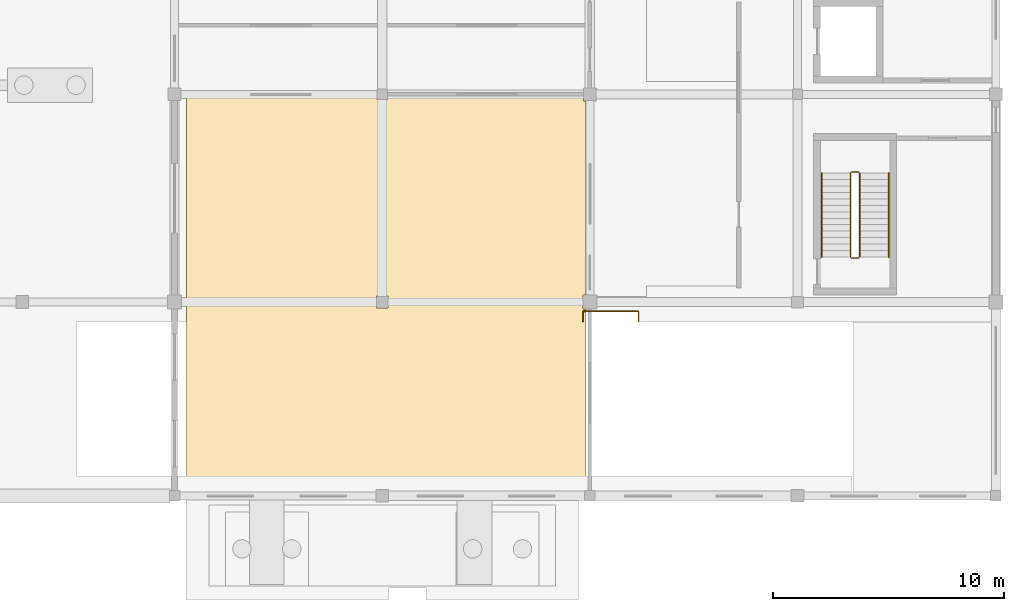
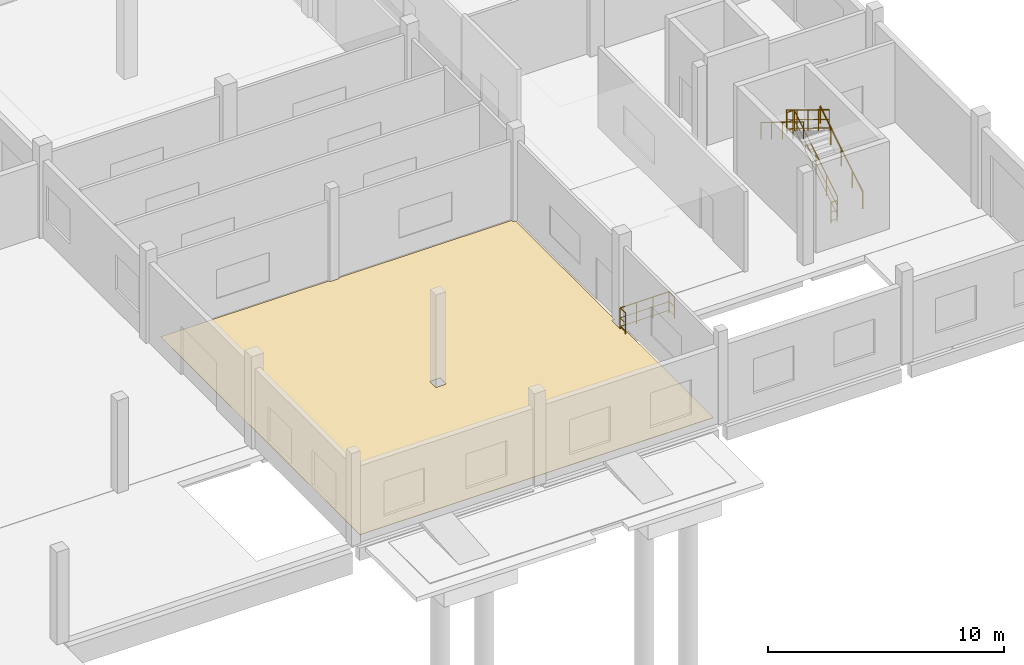
# One storey, part 87 of 91: 9 railings, 1 covering.
"""IFC4 building model written with IfcOpenShell, lengths in metres."""

from ifc_helpers import new_model, si_unit, direction, frame, origin, origin_2d, place, context, subcontext, project, spatial, polyline, circle, outline, extrude, material, layer, layer_set, type_object, element, save


model = new_model("IFC4")

# Units and contexts
model_context = context("Model", 3, precision=1e-05, world=origin(), true_north=direction((0.0, 1.0)))
body_context = subcontext(model_context, "Body", "Model", "MODEL_VIEW")
ifc_project = project(units=[si_unit("LENGTHUNIT", "METRE"), si_unit("AREAUNIT", "SQUARE_METRE"), si_unit("VOLUMEUNIT", "CUBIC_METRE"), si_unit("PLANEANGLEUNIT", "RADIAN"), si_unit("MASSUNIT", "GRAM", prefix="KILO")], contexts=[model_context])

# Site, building, storey
site_placement = place(None, origin())
site = spatial("IfcSite", under=ifc_project, at=site_placement, CompositionType="ELEMENT")
building_placement = place(site_placement, origin())
building = spatial("IfcBuilding", under=site, at=building_placement, Name="Vinh Khe Railworks Police Headquarters", CompositionType="ELEMENT")
storey_placement = place(building_placement, origin())
storey = spatial("IfcBuildingStorey", under=building, at=storey_placement, Name="L00", CompositionType="ELEMENT", Elevation=0.0)

# Covering
ifc_material_1 = material(Name="Honed granite terrazzo flooring", Category="masonry")
ifc_layer = layer(ifc_material_1, 0.02001953125)
ifc_layer_set = layer_set([ifc_layer], Name="Honed granite terrazzo flooring")
covering_type = type_object("IfcCoveringType", Name="COV-FLR-TERRAZZO", PredefinedType="FLOORING", material=ifc_layer_set)
covering_placement = place(storey_placement, origin())
element("IfcCovering", 1, at=covering_placement, inside=storey, type_object=covering_type, Name="Terrazzo Floor Finish Custody Suite", PredefinedType="FLOORING", context=body_context, shape_type="SweptSolid", body=[
    extrude(outline(polyline([(78.510009765625, 113.239990234375), (78.510009765625, 96.320068359375), (95.840087890625, 96.320068359375), (95.840087890625, 104.094970703125), (95.695068359375, 104.094970703125), (95.695068359375, 104.705078125), (95.840087890625, 104.705078125), (95.840087890625, 113.1201171875), (95.719970703125, 113.1201171875), (95.719970703125, 113.239990234375), (87.22998046875, 113.239990234375), (87.22998046875, 113.169921875), (86.77001953125, 113.169921875), (86.77001953125, 113.239990234375), (78.510009765625, 113.239990234375)]), holes=[polyline([(87.2548828125, 104.14501953125), (86.7451171875, 104.14501953125), (86.7451171875, 104.655029296875), (87.2548828125, 104.655029296875), (87.2548828125, 104.14501953125)])]), origin(), (0.0, 0.0, 1.0), 0.02001953125),
])

# Railings
ifc_material_2 = material(Name="Painted tubular steel", Category="steel")
railing_type_1 = type_object("IfcRailingType", Name="RL-GUARD-1100", PredefinedType="GUARDRAIL", material=ifc_material_2)
railing_1_placement = place(storey_placement, frame((107.699951171875, 106.35009765625, 0.17138671875)))
element("IfcRailing", 2, at=railing_1_placement, inside=storey, type_object=railing_type_1, Name="L00 ST-04 stair guard 1", PredefinedType="GUARDRAIL", context=body_context, shape_type="SweptSolid", body=[
    extrude(circle(Radius=0.02392578125, at=origin_2d()), frame((0.0, 0.0, 1.076171875), z_axis=(0.0, 0.852850264322, 0.5221555579), x_axis=(-1.0, 0.0, 0.0)), (0.0, 0.0, 1.0), 4.267822265625),
    extrude(circle(Radius=0.01416015625, at=origin_2d()), frame((0.0, 0.0, 0.132080078125), z_axis=(0.0, 0.852850264322, 0.5221555579), x_axis=(-1.0, 0.0, 0.0)), (0.0, 0.0, 1.0), 4.267822265625),
    extrude(circle(Radius=0.01416015625, at=origin_2d()), frame((0.0, 0.0, 0.572021484375), z_axis=(0.0, 0.852850264322, 0.5221555579), x_axis=(-1.0, 0.0, 0.0)), (0.0, 0.0, 1.0), 4.267822265625),
    extrude(circle(Radius=0.02099609375, at=origin_2d()), origin(), (0.0, 0.0, 1.0), 1.052001953125),
    extrude(circle(Radius=0.02099609375, at=origin_2d()), frame((0.0, 0.909912109375, 0.55712890625)), (0.0, 0.0, 1.0), 1.052001953125),
    extrude(circle(Radius=0.02099609375, at=origin_2d()), frame((0.0, 1.81982421875, 1.1142578125)), (0.0, 0.0, 1.0), 1.052001953125),
    extrude(circle(Radius=0.02099609375, at=origin_2d()), frame((0.0, 2.72998046875, 1.67138671875)), (0.0, 0.0, 1.0), 1.052001953125),
    extrude(circle(Radius=0.02099609375, at=origin_2d()), frame((0.0, 3.639892578125, 2.228515625)), (0.0, 0.0, 1.0), 1.052001953125),
])
railing_2_placement = place(storey_placement, frame((107.64990234375, 110.0400390625, 2.39990234375)))
element("IfcRailing", 3, at=railing_2_placement, inside=storey, type_object=railing_type_1, Name="L00 ST-04 stair guard 2", PredefinedType="GUARDRAIL", context=body_context, shape_type="SweptSolid", body=[
    extrude(circle(Radius=0.02392578125, at=origin_2d()), frame((0.0, 0.0, 1.076171875), z_axis=(-1.0, 0.0, 0.0), x_axis=(0.0, -1.0, 0.0)), (0.0, 0.0, 1.0), 0.2998046875),
    extrude(circle(Radius=0.01416015625, at=origin_2d()), frame((0.0, 0.0, 0.132080078125), z_axis=(-1.0, 0.0, 0.0), x_axis=(0.0, -1.0, 0.0)), (0.0, 0.0, 1.0), 0.2998046875),
    extrude(circle(Radius=0.01416015625, at=origin_2d()), frame((0.0, 0.0, 0.572021484375), z_axis=(-1.0, 0.0, 0.0), x_axis=(0.0, -1.0, 0.0)), (0.0, 0.0, 1.0), 0.2998046875),
    extrude(circle(Radius=0.02099609375, at=origin_2d()), origin(), (0.0, 0.0, 1.0), 1.052001953125),
    extrude(circle(Radius=0.02099609375, at=origin_2d()), frame((-0.2998046875, 0.0, 0.0)), (0.0, 0.0, 1.0), 1.052001953125),
])
railing_3_placement = place(storey_placement, frame((107.300048828125, 109.989990234375, 2.571533203125)))
element("IfcRailing", 4, at=railing_3_placement, inside=storey, type_object=railing_type_1, Name="L00 ST-04 stair guard 3", PredefinedType="GUARDRAIL", context=body_context, shape_type="SweptSolid", body=[
    extrude(circle(Radius=0.02392578125, at=origin_2d()), frame((0.0, 0.0, 1.076171875), z_axis=(0.0, -0.852850264322, 0.5221555579), x_axis=(1.0, 0.0, 0.0)), (0.0, 0.0, 1.0), 4.267822265625),
    extrude(circle(Radius=0.01416015625, at=origin_2d()), frame((0.0, 0.0, 0.132080078125), z_axis=(0.0, -0.852850264322, 0.5221555579), x_axis=(1.0, 0.0, 0.0)), (0.0, 0.0, 1.0), 4.267822265625),
    extrude(circle(Radius=0.01416015625, at=origin_2d()), frame((0.0, 0.0, 0.572021484375), z_axis=(0.0, -0.852850264322, 0.5221555579), x_axis=(1.0, 0.0, 0.0)), (0.0, 0.0, 1.0), 4.267822265625),
    extrude(circle(Radius=0.02099609375, at=origin_2d()), origin(), (0.0, 0.0, 1.0), 1.052001953125),
    extrude(circle(Radius=0.02099609375, at=origin_2d()), frame((0.0, -0.909912109375, 0.55712890625)), (0.0, 0.0, 1.0), 1.052001953125),
    extrude(circle(Radius=0.02099609375, at=origin_2d()), frame((0.0, -1.81982421875, 1.1142578125)), (0.0, 0.0, 1.0), 1.052001953125),
    extrude(circle(Radius=0.02099609375, at=origin_2d()), frame((0.0, -2.72998046875, 1.67138671875)), (0.0, 0.0, 1.0), 1.052001953125),
    extrude(circle(Radius=0.02099609375, at=origin_2d()), frame((0.0, -3.639892578125, 2.228515625)), (0.0, 0.0, 1.0), 1.052001953125),
])
railing_4_placement = place(storey_placement, frame((107.64990234375, 106.300048828125, 0.0)))
element("IfcRailing", 5, at=railing_4_placement, inside=storey, type_object=railing_type_1, Name="L00 ST-04 stair guard 4", PredefinedType="GUARDRAIL", context=body_context, shape_type="SweptSolid", body=[
    extrude(circle(Radius=0.02392578125, at=origin_2d()), frame((0.0, 0.0, 1.076171875), z_axis=(-1.0, 0.0, 0.0), x_axis=(0.0, -1.0, 0.0)), (0.0, 0.0, 1.0), 0.2998046875),
    extrude(circle(Radius=0.01416015625, at=origin_2d()), frame((0.0, 0.0, 0.132080078125), z_axis=(-1.0, 0.0, 0.0), x_axis=(0.0, -1.0, 0.0)), (0.0, 0.0, 1.0), 0.2998046875),
    extrude(circle(Radius=0.01416015625, at=origin_2d()), frame((0.0, 0.0, 0.572021484375), z_axis=(-1.0, 0.0, 0.0), x_axis=(0.0, -1.0, 0.0)), (0.0, 0.0, 1.0), 0.2998046875),
    extrude(circle(Radius=0.02099609375, at=origin_2d()), origin(), (0.0, 0.0, 1.0), 1.052001953125),
    extrude(circle(Radius=0.02099609375, at=origin_2d()), frame((-0.2998046875, 0.0, 0.0)), (0.0, 0.0, 1.0), 1.052001953125),
])
railing_5_placement = place(storey_placement, frame((95.699951171875, 103.550048828125, 0.0)))
element("IfcRailing", 6, at=railing_5_placement, inside=storey, type_object=railing_type_1, Name="Slab Corner Notch Guard L00-10", PredefinedType="GUARDRAIL", context=body_context, shape_type="SweptSolid", body=[
    extrude(circle(Radius=0.02392578125, at=origin_2d()), frame((0.0, 0.0, 1.09619140625), z_axis=(0.0, 1.0, 0.0), x_axis=(-1.0, 0.0, 0.0)), (0.0, 0.0, 1.0), 0.449951171875),
    extrude(circle(Radius=0.01416015625, at=origin_2d()), frame((0.0, 0.0, 0.134521484375), z_axis=(0.0, 1.0, 0.0), x_axis=(-1.0, 0.0, 0.0)), (0.0, 0.0, 1.0), 0.449951171875),
    extrude(circle(Radius=0.01416015625, at=origin_2d()), frame((0.0, 0.0, 0.58251953125), z_axis=(0.0, 1.0, 0.0), x_axis=(-1.0, 0.0, 0.0)), (0.0, 0.0, 1.0), 0.449951171875),
    extrude(circle(Radius=0.02099609375, at=origin_2d()), origin(), (0.0, 0.0, 1.0), 1.072021484375),
    extrude(circle(Radius=0.02099609375, at=origin_2d()), frame((0.0, 0.449951171875, 0.0)), (0.0, 0.0, 1.0), 1.072021484375),
])
railing_6_placement = place(storey_placement, frame((95.699951171875, 104.0, 0.0)))
element("IfcRailing", 7, at=railing_6_placement, inside=storey, type_object=railing_type_1, Name="Slab Corner Notch Guard L00-11", PredefinedType="GUARDRAIL", context=body_context, shape_type="SweptSolid", body=[
    extrude(circle(Radius=0.02392578125, at=origin_2d()), frame((0.0, 0.0, 1.09619140625), z_axis=(1.0, 0.0, 0.0), x_axis=(0.0, 1.0, 0.0)), (0.0, 0.0, 1.0), 2.400146484375),
    extrude(circle(Radius=0.01416015625, at=origin_2d()), frame((0.0, 0.0, 0.134521484375), z_axis=(1.0, 0.0, 0.0), x_axis=(0.0, 1.0, 0.0)), (0.0, 0.0, 1.0), 2.400146484375),
    extrude(circle(Radius=0.01416015625, at=origin_2d()), frame((0.0, 0.0, 0.58251953125), z_axis=(1.0, 0.0, 0.0), x_axis=(0.0, 1.0, 0.0)), (0.0, 0.0, 1.0), 2.400146484375),
    extrude(circle(Radius=0.02099609375, at=origin_2d()), origin(), (0.0, 0.0, 1.0), 1.072021484375),
    extrude(circle(Radius=0.02099609375, at=origin_2d()), frame((0.800048828125, 0.0, 0.0)), (0.0, 0.0, 1.0), 1.072021484375),
    extrude(circle(Radius=0.02099609375, at=origin_2d()), frame((1.60009765625, 0.0, 0.0)), (0.0, 0.0, 1.0), 1.072021484375),
    extrude(circle(Radius=0.02099609375, at=origin_2d()), frame((2.400146484375, 0.0, 0.0)), (0.0, 0.0, 1.0), 1.072021484375),
])
railing_7_placement = place(storey_placement, frame((98.10009765625, 104.0, 0.0)))
element("IfcRailing", 8, at=railing_7_placement, inside=storey, type_object=railing_type_1, Name="Slab Corner Notch Guard L00-12", PredefinedType="GUARDRAIL", context=body_context, shape_type="SweptSolid", body=[
    extrude(circle(Radius=0.02392578125, at=origin_2d()), frame((0.0, 0.0, 1.09619140625), z_axis=(0.0, -1.0, 0.0), x_axis=(1.0, 0.0, 0.0)), (0.0, 0.0, 1.0), 0.449951171875),
    extrude(circle(Radius=0.01416015625, at=origin_2d()), frame((0.0, 0.0, 0.134521484375), z_axis=(0.0, -1.0, 0.0), x_axis=(1.0, 0.0, 0.0)), (0.0, 0.0, 1.0), 0.449951171875),
    extrude(circle(Radius=0.01416015625, at=origin_2d()), frame((0.0, 0.0, 0.58251953125), z_axis=(0.0, -1.0, 0.0), x_axis=(1.0, 0.0, 0.0)), (0.0, 0.0, 1.0), 0.449951171875),
    extrude(circle(Radius=0.02099609375, at=origin_2d()), origin(), (0.0, 0.0, 1.0), 1.072021484375),
    extrude(circle(Radius=0.02099609375, at=origin_2d()), frame((0.0, -0.449951171875, 0.0)), (0.0, 0.0, 1.0), 1.072021484375),
])
ifc_material_3 = material(Name="Brushed stainless steel", Category="steel")
railing_type_2 = type_object("IfcRailingType", Name="RL-HAND-900", PredefinedType="HANDRAIL", material=ifc_material_3)
railing_8_placement = place(storey_placement, frame((108.949951171875, 106.35009765625, 0.17138671875)))
element("IfcRailing", 9, at=railing_8_placement, inside=storey, type_object=railing_type_2, Name="L00 ST-04 stair handrail 1", PredefinedType="HANDRAIL", context=body_context, shape_type="SweptSolid", body=[
    extrude(circle(Radius=0.02392578125, at=origin_2d()), frame((0.0, 0.0, 0.8759765625), z_axis=(0.0, 0.852850264322, 0.5221555579), x_axis=(-1.0, 0.0, 0.0)), (0.0, 0.0, 1.0), 4.267822265625),
    extrude(circle(Radius=0.02099609375, at=origin_2d()), origin(), (0.0, 0.0, 1.0), 0.851806640625),
    extrude(circle(Radius=0.02099609375, at=origin_2d()), frame((0.0, 0.909912109375, 0.55712890625)), (0.0, 0.0, 1.0), 0.851806640625),
    extrude(circle(Radius=0.02099609375, at=origin_2d()), frame((0.0, 1.81982421875, 1.1142578125)), (0.0, 0.0, 1.0), 0.851806640625),
    extrude(circle(Radius=0.02099609375, at=origin_2d()), frame((0.0, 2.72998046875, 1.67138671875)), (0.0, 0.0, 1.0), 0.851806640625),
    extrude(circle(Radius=0.02099609375, at=origin_2d()), frame((0.0, 3.639892578125, 2.228515625)), (0.0, 0.0, 1.0), 0.851806640625),
])
railing_9_placement = place(storey_placement, frame((106.050048828125, 109.989990234375, 2.571533203125)))
element("IfcRailing", 10, at=railing_9_placement, inside=storey, type_object=railing_type_2, Name="L00 ST-04 stair handrail 2", PredefinedType="HANDRAIL", context=body_context, shape_type="SweptSolid", body=[
    extrude(circle(Radius=0.02392578125, at=origin_2d()), frame((0.0, 0.0, 0.8759765625), z_axis=(0.0, -0.852850264322, 0.5221555579), x_axis=(1.0, 0.0, 0.0)), (0.0, 0.0, 1.0), 4.267822265625),
    extrude(circle(Radius=0.02099609375, at=origin_2d()), origin(), (0.0, 0.0, 1.0), 0.851806640625),
    extrude(circle(Radius=0.02099609375, at=origin_2d()), frame((0.0, -0.909912109375, 0.55712890625)), (0.0, 0.0, 1.0), 0.851806640625),
    extrude(circle(Radius=0.02099609375, at=origin_2d()), frame((0.0, -1.81982421875, 1.1142578125)), (0.0, 0.0, 1.0), 0.851806640625),
    extrude(circle(Radius=0.02099609375, at=origin_2d()), frame((0.0, -2.72998046875, 1.67138671875)), (0.0, 0.0, 1.0), 0.851806640625),
    extrude(circle(Radius=0.02099609375, at=origin_2d()), frame((0.0, -3.639892578125, 2.228515625)), (0.0, 0.0, 1.0), 0.851806640625),
])

save(model, "model.ifc")
